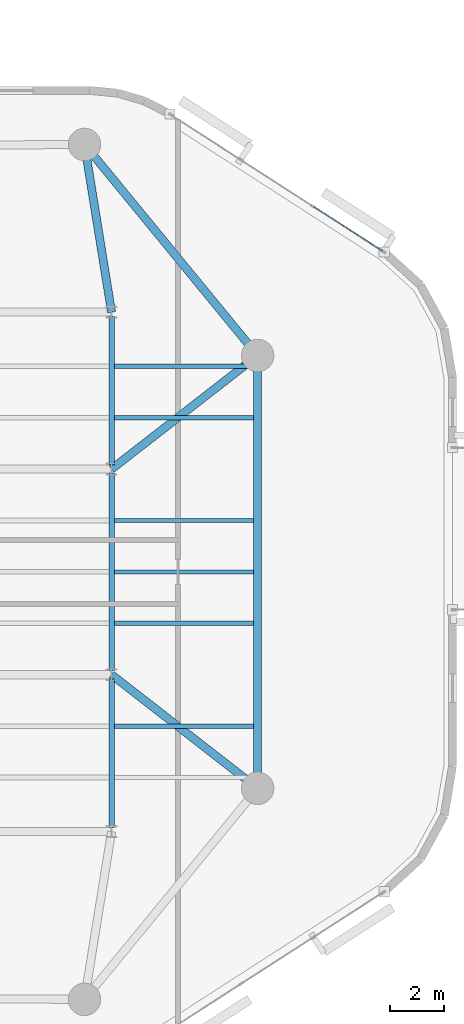
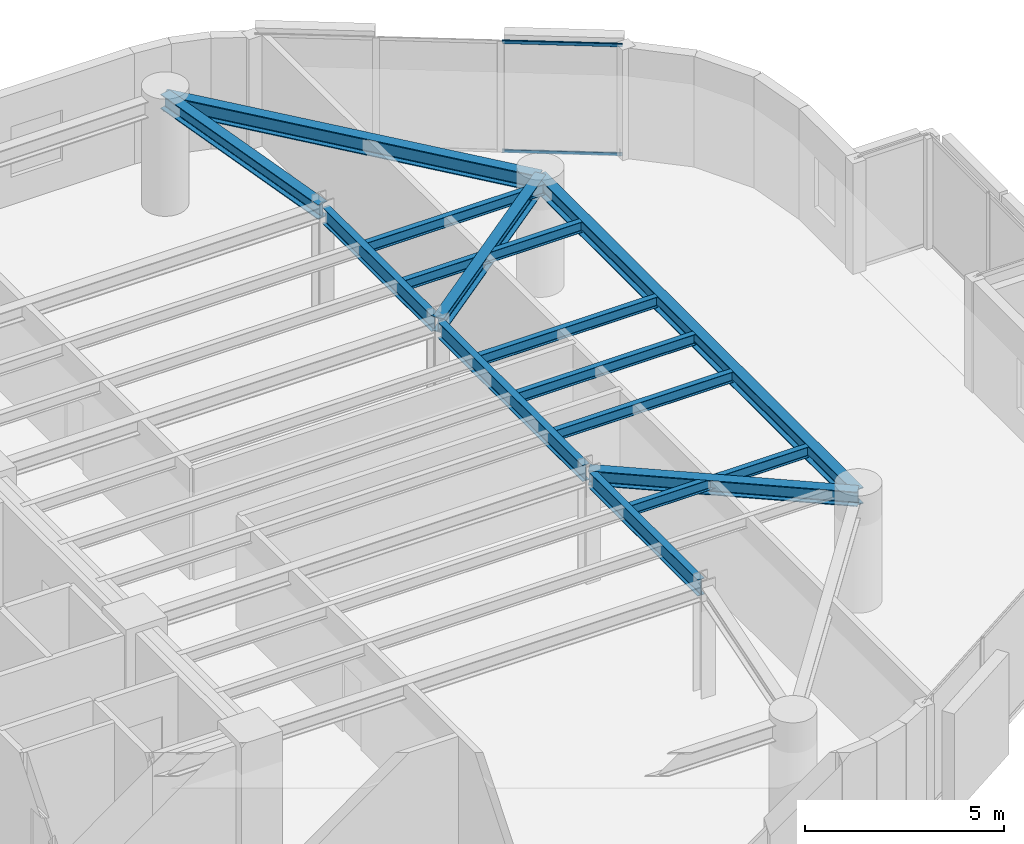
# One storey, part 3 of 12: 14 beams, 2 members, 1 element without a shape of its own.
"""IFC4 building model written with IfcOpenShell, lengths in metres."""

from ifc_helpers import new_model, si_unit, direction, frame, origin, origin_2d, place, context, subcontext, project, spatial, hollow_rectangle, i_section, extrude, material, layer, layer_set, material_profile, profile_set, type_object, element, aggregate, save


model = new_model("IFC4")

# Units and contexts
model_context = context("Model", 3, precision=1e-05, world=origin(), true_north=direction((0.0, 1.0)))
body_context = subcontext(model_context, "Body", "Model", "MODEL_VIEW")
ifc_project = project(units=[si_unit("LENGTHUNIT", "METRE"), si_unit("AREAUNIT", "SQUARE_METRE"), si_unit("VOLUMEUNIT", "CUBIC_METRE"), si_unit("PLANEANGLEUNIT", "RADIAN"), si_unit("MASSUNIT", "GRAM", prefix="KILO")], contexts=[model_context])

# Site, building, storey
site_placement = place(None, origin())
site = spatial("IfcSite", under=ifc_project, at=site_placement, CompositionType="ELEMENT")
building_placement = place(site_placement, origin())
building = spatial("IfcBuilding", under=site, at=building_placement, Name="An Khanh Terracotta Commons", CompositionType="ELEMENT")
storey_placement = place(building_placement, frame((0.0, 0.0, 161.800048828125)))
storey = spatial("IfcBuildingStorey", under=building, at=storey_placement, Name="L42", CompositionType="ELEMENT", Elevation=161.800048828125)

# Beams
ifc_material_1 = material(Name="Steel S355J2", Category="steel")
ifc_material_profile_1 = material_profile(ifc_material_1, i_section(OverallWidth=0.300048828125, OverallDepth=0.449951171875, WebThickness=0.013916015625, FlangeThickness=0.02587890625, FilletRadius=0.027099609375, at=origin_2d()), Name="HEB450")
ifc_profile_set_1 = profile_set([ifc_material_profile_1], Name="Steel S355J2")
beam_type_1 = type_object("IfcBeamType", Name="BM-HEB450", PredefinedType="BEAM", material=ifc_profile_set_1)
for number, where, z_axis, x_axis, name in (
    (1, (55.800048828125, 16.0, 3.175048828125), (-0.789363746927, 0.61392578952, 0.0), (-0.61392578952, -0.789363746927, 0.0), "L42 Mega-Column Tie Girder 3"),
    (2, (55.800048828125, 32.0, 3.175048828125), (-0.789363746927, -0.61392578952, 0.0), (0.61392578952, -0.789363746927, 0.0), "L42 Mega-Column Tie Girder 4"),
):
    element("IfcBeam", number, at=place(storey_placement, frame(where, z_axis=z_axis, x_axis=x_axis)), inside=storey, type_object=beam_type_1, Name=name, PredefinedType="BEAM", context=body_context, shape_type="SweptSolid", body=[
        extrude(i_section(OverallWidth=0.300048828125, OverallDepth=0.449951171875, WebThickness=0.013916015625, FlangeThickness=0.02587890625, FilletRadius=0.027099609375, at=origin_2d()), origin(), (0.0, 0.0, 1.0), 6.841064453125),
    ])
beam_1_placement = place(storey_placement, frame((49.39990234375, 39.800048828125, 3.175048828125), z_axis=(0.159233661074, -0.987240923575, 0.0), x_axis=(0.987240923575, 0.159233661074, 0.0)))
element("IfcBeam", 3, at=beam_1_placement, inside=storey, type_object=beam_type_1, Name="L42 Mega-Column Tie Girder 5", PredefinedType="BEAM", context=body_context, shape_type="SweptSolid", body=[
    extrude(i_section(OverallWidth=0.300048828125, OverallDepth=0.449951171875, WebThickness=0.013916015625, FlangeThickness=0.02587890625, FilletRadius=0.027099609375, at=origin_2d()), origin(), (0.0, 0.0, 1.0), 6.280029296875),
])
ifc_material_profile_2 = material_profile(ifc_material_1, i_section(OverallWidth=0.300048828125, OverallDepth=0.5, WebThickness=0.014404296875, FlangeThickness=0.028076171875, FilletRadius=0.027099609375, at=origin_2d()), Name="HEB500")
ifc_profile_set_2 = profile_set([ifc_material_profile_2], Name="Steel S355J2")
beam_type_2 = type_object("IfcBeamType", Name="BM-HEB500", PredefinedType="BEAM", material=ifc_profile_set_2)
beam_2_placement = place(storey_placement, frame((55.800048828125, 16.0, 3.14990234375), z_axis=(0.0, 1.0, 0.0), x_axis=(-1.0, 0.0, 0.0)))
element("IfcBeam", 4, at=beam_2_placement, inside=storey, type_object=beam_type_2, Name="L42 Perimeter Ring Spandrel 3", PredefinedType="BEAM", context=body_context, shape_type="SweptSolid", body=[
    extrude(i_section(OverallWidth=0.300048828125, OverallDepth=0.5, WebThickness=0.014404296875, FlangeThickness=0.028076171875, FilletRadius=0.027099609375, at=origin_2d()), origin(), (0.0, 0.0, 1.0), 16.0),
])
beam_3_placement = place(storey_placement, frame((55.800048828125, 32.0, 3.14990234375), z_axis=(-0.634322915223, 0.7730681983, 0.0), x_axis=(-0.7730681983, -0.634322915223, 0.0)))
element("IfcBeam", 5, at=beam_3_placement, inside=storey, type_object=beam_type_2, Name="L42 Perimeter Ring Spandrel 4", PredefinedType="BEAM", context=body_context, shape_type="SweptSolid", body=[
    extrude(i_section(OverallWidth=0.300048828125, OverallDepth=0.5, WebThickness=0.014404296875, FlangeThickness=0.028076171875, FilletRadius=0.027099609375, at=origin_2d()), origin(), (0.0, 0.0, 1.0), 10.08984375),
])
ifc_material_profile_3 = material_profile(ifc_material_1, i_section(OverallWidth=0.159912109375, OverallDepth=0.330078125, WebThickness=0.007568359375, FlangeThickness=0.011474609375, FilletRadius=0.01806640625, at=origin_2d()), Name="IPE330")
ifc_profile_set_3 = profile_set([ifc_material_profile_3], Name="Steel S355J2")
beam_type_3 = type_object("IfcBeamType", Name="BM-IPE330", PredefinedType="JOIST", material=ifc_profile_set_3)
for number, where, z_axis, x_axis, name in (
    (6, (50.5, 18.300048828125, 3.23486328125), (1.0, 0.0, 0.0), (0.0, 1.0, 0.0), "L42 Riverfront Composite Joist 2"),
    (7, (50.5, 22.10009765625, 3.23486328125), (1.0, 0.0, 0.0), (0.0, 1.0, 0.0), "L42 Riverfront Composite Joist 3"),
    (8, (50.5, 24.0, 3.23486328125), (1.0, 0.0, 0.0), (0.0, 1.0, 0.0), "L42 Riverfront Composite Joist 4"),
    (9, (50.5, 25.89990234375, 3.23486328125), (1.0, 0.0, 0.0), (0.0, 1.0, 0.0), "L42 Riverfront Composite Joist 5"),
    (10, (50.5, 29.699951171875, 3.23486328125), (1.0, 0.0, 0.0), (0.0, 1.0, 0.0), "L42 Riverfront Composite Joist 6"),
    (11, (50.5, 31.60009765625, 3.23486328125), (1.0, 0.0, 0.0), (0.0, 1.0, 0.0), "L42 Riverfront Composite Joist 7"),
):
    element("IfcBeam", number, at=place(storey_placement, frame(where, z_axis=z_axis, x_axis=x_axis)), inside=storey, type_object=beam_type_3, Name=name, PredefinedType="JOIST", context=body_context, shape_type="SweptSolid", body=[
        extrude(i_section(OverallWidth=0.159912109375, OverallDepth=0.330078125, WebThickness=0.007568359375, FlangeThickness=0.011474609375, FilletRadius=0.01806640625, at=origin_2d()), origin(), (0.0, 0.0, 1.0), 5.14990234375),
    ])
ifc_material_profile_4 = material_profile(ifc_material_1, i_section(OverallWidth=0.199951171875, OverallDepth=0.5, WebThickness=0.01025390625, FlangeThickness=0.01611328125, FilletRadius=0.02099609375, at=origin_2d()), Name="IPE500")
ifc_profile_set_4 = profile_set([ifc_material_profile_4], Name="Steel S355J2")
beam_type_4 = type_object("IfcBeamType", Name="BM-IPE500", PredefinedType="BEAM", material=ifc_profile_set_4)
beam_4_placement = place(storey_placement, frame((50.39990234375, 14.550048828125, 3.14990234375), z_axis=(0.0, 1.0, 0.0), x_axis=(-1.0, 0.0, 0.0)))
element("IfcBeam", 12, at=beam_4_placement, inside=storey, type_object=beam_type_4, Name="L42 East Spine Girder 1", PredefinedType="BEAM", context=body_context, shape_type="SweptSolid", body=[
    extrude(i_section(OverallWidth=0.199951171875, OverallDepth=0.5, WebThickness=0.01025390625, FlangeThickness=0.01611328125, FilletRadius=0.02099609375, at=origin_2d()), origin(), (0.0, 0.0, 1.0), 5.5),
])
beam_5_placement = place(storey_placement, frame((50.39990234375, 20.35009765625, 3.14990234375), z_axis=(0.0, 1.0, 0.0), x_axis=(-1.0, 0.0, 0.0)))
element("IfcBeam", 13, at=beam_5_placement, inside=storey, type_object=beam_type_4, Name="L42 East Spine Girder 2", PredefinedType="BEAM", context=body_context, shape_type="SweptSolid", body=[
    extrude(i_section(OverallWidth=0.199951171875, OverallDepth=0.5, WebThickness=0.01025390625, FlangeThickness=0.01611328125, FilletRadius=0.02099609375, at=origin_2d()), origin(), (0.0, 0.0, 1.0), 7.2998046875),
])
beam_6_placement = place(storey_placement, frame((50.39990234375, 27.949951171875, 3.14990234375), z_axis=(0.0, 1.0, 0.0), x_axis=(-1.0, 0.0, 0.0)))
element("IfcBeam", 14, at=beam_6_placement, inside=storey, type_object=beam_type_4, Name="L42 East Spine Girder 3", PredefinedType="BEAM", context=body_context, shape_type="SweptSolid", body=[
    extrude(i_section(OverallWidth=0.199951171875, OverallDepth=0.5, WebThickness=0.01025390625, FlangeThickness=0.01611328125, FilletRadius=0.02099609375, at=origin_2d()), origin(), (0.0, 0.0, 1.0), 5.5),
])

# Curtain wall, members
ifc_material_2 = material(Name="Anodised Aluminium 6063-T6", Category="aluminium")
ifc_layer = layer(ifc_material_2, 0.2099609375, Name="Anodised Aluminium 6063-T6")
ifc_layer_set = layer_set([ifc_layer], Name="Anodised Aluminium 6063-T6")
curtain_wall_type = type_object("IfcCurtainWallType", Name="CW-SYS-03", PredefinedType="USERDEFINED", material=ifc_layer_set)
curtain_wall_placement = place(storey_placement, origin())
curtain_wall = element("IfcCurtainWall", 15, at=curtain_wall_placement, inside=storey, type_object=curtain_wall_type, Name="L42 CW-03 Unitised Curtain Wall CW-L42-16", ObjectType="UNITISED CURTAIN WALL", PredefinedType="USERDEFINED")
ifc_material_profile_5 = material_profile(ifc_material_2, hollow_rectangle(XDim=0.050048828125, YDim=0.10009765625, WallThickness=0.003173828125, InnerFilletRadius=0.003173828125, OuterFilletRadius=0.00634765625, at=origin_2d()), Name="RHS100x50x3.2")
ifc_profile_set_5 = profile_set([ifc_material_profile_5], Name="Anodised Aluminium 6063-T6")
member_type = type_object("IfcMemberType", Name="CWT-RHS100x50x3.2", PredefinedType="USERDEFINED", material=ifc_profile_set_5)
member_1_placement = place(storey_placement, frame((60.419189453125, 35.86181640625, 0.02490234375), z_axis=(-0.840673595852, 0.541542154626, 0.0), x_axis=(-0.541542154626, -0.840673595852, 0.0)))
member_1 = element("IfcMember", 16, at=member_1_placement, type_object=member_type, Name="CW-03 transom 1.1", ObjectType="TRANSOM", PredefinedType="USERDEFINED", context=body_context, shape_type="SweptSolid", body=[
    extrude(hollow_rectangle(XDim=0.050048828125, YDim=0.10009765625, WallThickness=0.003173828125, InnerFilletRadius=0.003173828125, OuterFilletRadius=0.00634765625, at=origin_2d()), origin(), (0.0, 0.0, 1.0), 3.034423828125),
])
member_2_placement = place(storey_placement, frame((60.419189453125, 35.86181640625, 3.375), z_axis=(-0.840673595852, 0.541542154626, 0.0), x_axis=(-0.541542154626, -0.840673595852, 0.0)))
member_2 = element("IfcMember", 17, at=member_2_placement, type_object=member_type, Name="CW-03 transom 1.2", ObjectType="TRANSOM", PredefinedType="USERDEFINED", context=body_context, shape_type="SweptSolid", body=[
    extrude(hollow_rectangle(XDim=0.050048828125, YDim=0.10009765625, WallThickness=0.003173828125, InnerFilletRadius=0.003173828125, OuterFilletRadius=0.00634765625, at=origin_2d()), origin(), (0.0, 0.0, 1.0), 3.034423828125),
])
aggregate(curtain_wall, [member_1, member_2])

save(model, "model.ifc")
